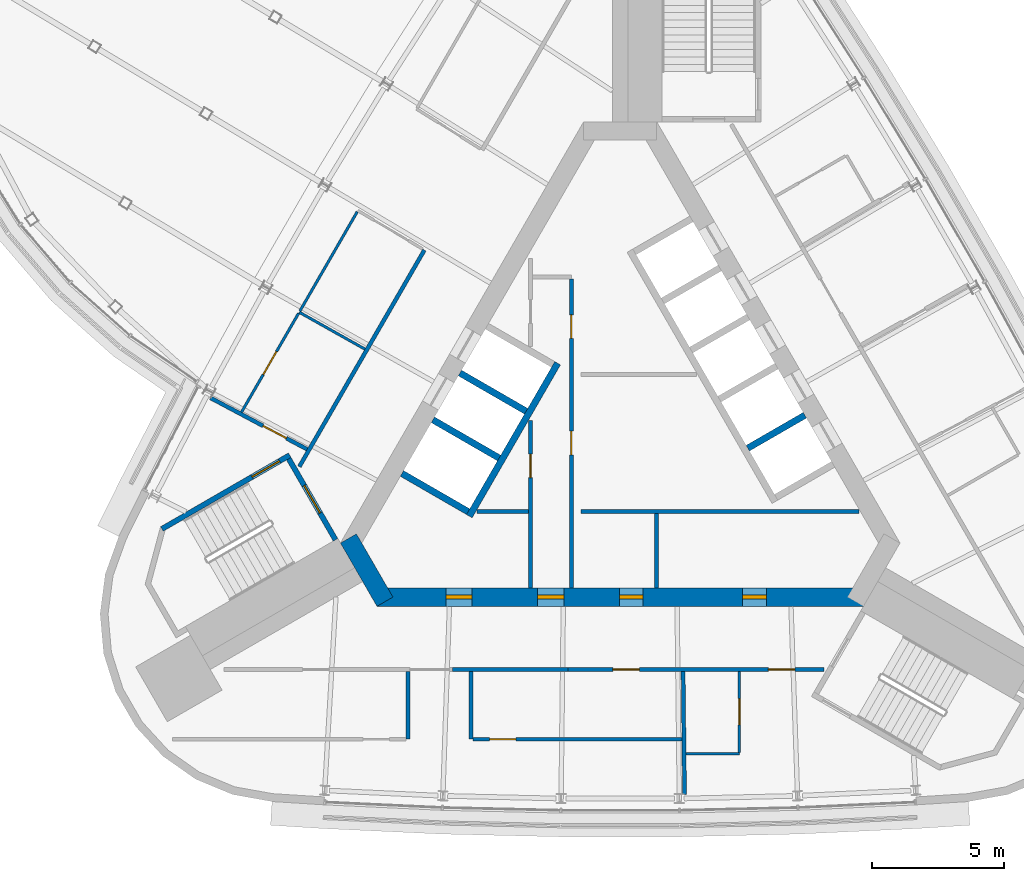
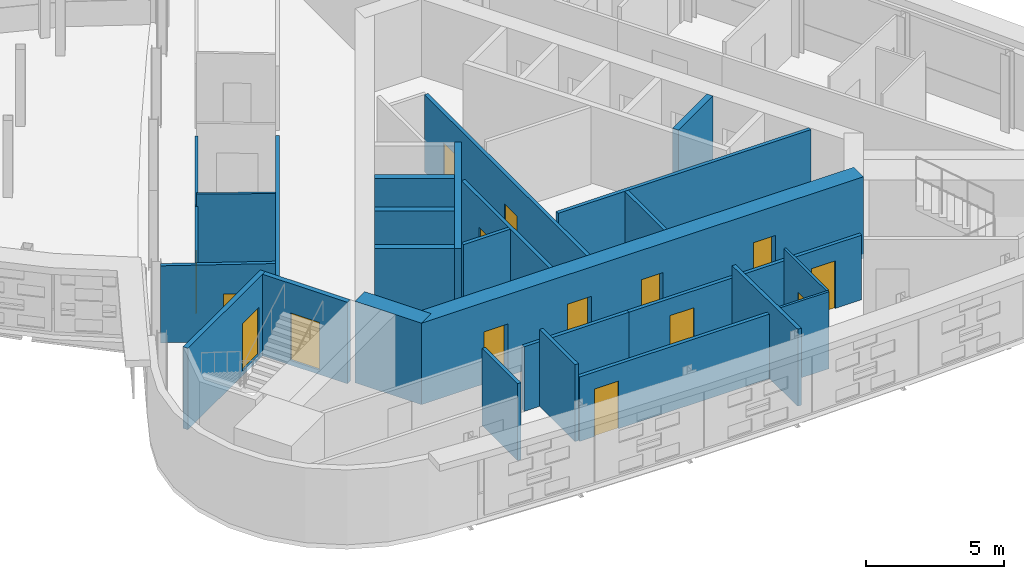
# One storey, part 9 of 13: 27 walls, 15 doors, 15 openings.
"""IFC4 building model written with IfcOpenShell, lengths in metres."""

from ifc_helpers import new_model, si_unit, direction, frame, frame_2d, origin, place, context, subcontext, project, spatial, rectangle, extrude, material, layer, layer_set, type_object, element, fill, save


model = new_model("IFC4")

# Units and contexts
model_context = context("Model", 3, precision=1e-05, world=origin(), true_north=direction((0.0, 1.0)))
body_context = subcontext(model_context, "Body", "Model", "MODEL_VIEW")
ifc_project = project(units=[si_unit("LENGTHUNIT", "METRE"), si_unit("AREAUNIT", "SQUARE_METRE"), si_unit("VOLUMEUNIT", "CUBIC_METRE"), si_unit("PLANEANGLEUNIT", "RADIAN"), si_unit("MASSUNIT", "GRAM", prefix="KILO")], contexts=[model_context])

# Site, building, storey
site_placement = place(None, origin())
site = spatial("IfcSite", under=ifc_project, at=site_placement, CompositionType="ELEMENT")
building_placement = place(site_placement, origin())
building = spatial("IfcBuilding", under=site, at=building_placement, Name="Noor Cloister Tower", CompositionType="ELEMENT")
storey_placement = place(building_placement, frame((0.0, 0.0, 267.0)))
storey = spatial("IfcBuildingStorey", under=building, at=storey_placement, Name="L68", CompositionType="ELEMENT", Elevation=267.0)

# Wall
ifc_material_1 = material(Name="Concrete C30/37", Category="concrete")
ifc_layer_1 = layer(ifc_material_1, 0.14990234375)
ifc_layer_set_1 = layer_set([ifc_layer_1], Name="Core partition 150 C30/37")
wall_type_1 = type_object("IfcWallType", Name="Core partition 150 C30/37", PredefinedType="PARTITIONING", material=ifc_layer_set_1)
wall_1_placement = place(storey_placement, frame((-5.430908203125, -3.328125, 0.0), z_axis=(0.0, 0.0, 1.0), x_axis=(1.0, 0.0, 0.0)))
element("IfcWall", 1, at=wall_1_placement, inside=storey, type_object=wall_type_1, Name="Core room partition L68 1", PredefinedType="PARTITIONING", context=body_context, shape_type="SweptSolid", body=[
    extrude(rectangle(XDim=1.9521484375, YDim=0.14990234375, at=frame_2d((0.97607421875, 0.0))), origin(), (0.0, 0.0, 1.0), 3.39990234375),
])

# Wall, opening, door
wall_2_placement = place(storey_placement, frame((-3.40380859375, 0.131103515625, 0.0), z_axis=(0.0, 0.0, 1.0), x_axis=(0.0, -1.0, 0.0)))
wall_2 = element("IfcWall", 2, at=wall_2_placement, inside=storey, type_object=wall_type_1, Name="Core room partition L68 2", PredefinedType="PARTITIONING", context=body_context, shape_type="SweptSolid", body=[
    extrude(rectangle(XDim=6.359375, YDim=0.14990234375, at=frame_2d((3.1796875, 0.0))), origin(), (0.0, 0.0, 1.0), 3.39990234375),
])
opening_1_placement = place(wall_2_placement, frame((1.280517578125, 0.0, 0.0)))
opening_1 = element("IfcOpeningElement", 3, at=opening_1_placement, cuts=wall_2, Name="Opening L68-905", PredefinedType="OPENING", context=body_context, shape_type="SweptSolid", body=[
    extrude(rectangle(XDim=0.89990234375, YDim=2.10009765625, at=frame_2d((0.449951171875, 1.050048828125))), frame((0.0, 0.0849609375, 0.0), z_axis=(0.0, -1.0, 0.0), x_axis=(1.0, 0.0, 0.0)), (0.0, 0.0, 1.0), 0.169921875),
])
ifc_material_2 = material(Name="Steel", Category="steel")
door_type_1 = type_object("IfcDoorType", Name="Core door 900 x 2100 FD120", OperationType="SINGLE_SWING_LEFT", PredefinedType="DOOR", material=ifc_material_2)
door_1_placement = place(opening_1_placement, origin())
door_1 = element("IfcDoor", 4, at=door_1_placement, inside=storey, type_object=door_type_1, Name="Core door 5 L68", OperationType="SINGLE_SWING_LEFT", OverallHeight=2.10009765625, OverallWidth=0.89990234375, PredefinedType="DOOR", context=body_context, shape_type="SweptSolid", body=[
    extrude(rectangle(XDim=0.89990234375, YDim=2.10009765625, at=frame_2d((0.449951171875, 1.050048828125))), frame((0.0, 0.02490234375, 0.0), z_axis=(0.0, -1.0, 0.0), x_axis=(1.0, 0.0, 0.0)), (0.0, 0.0, 1.0), 0.050048828125),
])
fill(opening_1, door_1)

# Wall, openings, doors
wall_3_placement = place(storey_placement, frame((-1.853759765625, 5.496826171875, 0.0), z_axis=(0.0, 0.0, 1.0), x_axis=(0.0, -1.0, 0.0)))
wall_3 = element("IfcWall", 5, at=wall_3_placement, inside=storey, type_object=wall_type_1, Name="Core room partition L68 5", PredefinedType="PARTITIONING", context=body_context, shape_type="SweptSolid", body=[
    extrude(rectangle(XDim=11.72509765625, YDim=0.14990234375, at=frame_2d((5.862548828125, 0.0))), origin(), (0.0, 0.0, 1.0), 3.39990234375),
])
opening_2_placement = place(wall_3_placement, frame((5.77490234375, 0.0, 0.0)))
opening_2 = element("IfcOpeningElement", 6, at=opening_2_placement, cuts=wall_3, Name="Opening L68-906", PredefinedType="OPENING", context=body_context, shape_type="SweptSolid", body=[
    extrude(rectangle(XDim=0.89990234375, YDim=2.10009765625, at=frame_2d((0.449951171875, 1.050048828125))), frame((0.0, 0.0849609375, 0.0), z_axis=(0.0, -1.0, 0.0), x_axis=(1.0, 0.0, 0.0)), (0.0, 0.0, 1.0), 0.169921875),
])
opening_3_placement = place(wall_3_placement, frame((1.363525390625, 0.0, 0.0)))
opening_3 = element("IfcOpeningElement", 7, at=opening_3_placement, cuts=wall_3, Name="Opening L68-908", PredefinedType="OPENING", context=body_context, shape_type="SweptSolid", body=[
    extrude(rectangle(XDim=0.89990234375, YDim=2.10009765625, at=frame_2d((0.449951171875, 1.050048828125))), frame((0.0, 0.0849609375, 0.0), z_axis=(0.0, -1.0, 0.0), x_axis=(1.0, 0.0, 0.0)), (0.0, 0.0, 1.0), 0.169921875),
])
door_2_placement = place(opening_3_placement, origin())
door_2 = element("IfcDoor", 8, at=door_2_placement, inside=storey, type_object=door_type_1, Name="Core door 8 L68", OperationType="SINGLE_SWING_RIGHT", OverallHeight=2.10009765625, OverallWidth=0.89990234375, PredefinedType="DOOR", context=body_context, shape_type="SweptSolid", body=[
    extrude(rectangle(XDim=0.89990234375, YDim=2.10009765625, at=frame_2d((0.449951171875, 1.050048828125))), frame((0.0, 0.02490234375, 0.0), z_axis=(0.0, -1.0, 0.0), x_axis=(1.0, 0.0, 0.0)), (0.0, 0.0, 1.0), 0.050048828125),
])
fill(opening_3, door_2)
ifc_material_3 = material(Name="Steel", Category="steel")
door_type_2 = type_object("IfcDoorType", Name="Core door 900 x 2100 FD60", OperationType="SINGLE_SWING_LEFT", PredefinedType="DOOR", material=ifc_material_3)
door_3_placement = place(opening_2_placement, origin())
door_3 = element("IfcDoor", 9, at=door_3_placement, inside=storey, type_object=door_type_2, Name="Core door 6 L68", OperationType="SINGLE_SWING_RIGHT", OverallHeight=2.10009765625, OverallWidth=0.89990234375, PredefinedType="DOOR", context=body_context, shape_type="SweptSolid", body=[
    extrude(rectangle(XDim=0.89990234375, YDim=2.10009765625, at=frame_2d((0.449951171875, 1.050048828125))), frame((0.0, 0.02490234375, 0.0), z_axis=(0.0, -1.0, 0.0), x_axis=(1.0, 0.0, 0.0)), (0.0, 0.0, 1.0), 0.050048828125),
])
fill(opening_2, door_3)

# Walls
wall_4_placement = place(storey_placement, frame((-1.478759765625, -3.328125, 0.0), z_axis=(0.0, 0.0, 1.0), x_axis=(1.0, 0.0, 0.0)))
element("IfcWall", 10, at=wall_4_placement, inside=storey, type_object=wall_type_1, Name="Core room partition L68 6", PredefinedType="PARTITIONING", context=body_context, shape_type="SweptSolid", body=[
    extrude(rectangle(XDim=10.546875, YDim=0.14990234375, at=frame_2d((5.2734375, 0.0))), origin(), (0.0, 0.0, 1.0), 3.39990234375),
])
wall_5_placement = place(storey_placement, frame((1.371337890625, -3.4033203125, 0.0), z_axis=(0.0, 0.0, 1.0), x_axis=(0.0, -1.0, 0.0)))
element("IfcWall", 11, at=wall_5_placement, inside=storey, type_object=wall_type_1, Name="Core room partition L68 8", PredefinedType="PARTITIONING", context=body_context, shape_type="SweptSolid", body=[
    extrude(rectangle(XDim=2.824951171875, YDim=0.14990234375, at=frame_2d((1.41259765625, 0.0))), origin(), (0.0, 0.0, 1.0), 3.39990234375),
])

# Wall, openings, doors
ifc_material_4 = material(Name="Concrete C60/75", Category="concrete")
ifc_layer_2 = layer(ifc_material_4, 0.699951171875)
ifc_layer_set_2 = layer_set([ifc_layer_2], Name="Core wall 700 C60/75")
wall_type_2 = type_object("IfcWallType", Name="Core wall 700 C60/75", PredefinedType="SHEAR", material=ifc_layer_set_2)
wall_6_placement = place(storey_placement, frame((-9.228759765625, -6.578125, -0.199951171875), z_axis=(0.0, 0.0, 1.0), x_axis=(1.0, 0.0, 0.0)))
wall_6 = element("IfcWall", 12, at=wall_6_placement, inside=storey, type_object=wall_type_2, Name="Core wall L68 1", PredefinedType="SHEAR", context=body_context, shape_type="SweptSolid", body=[
    extrude(rectangle(XDim=18.45751953125, YDim=0.699951171875, at=frame_2d((9.228759765625, 0.0))), origin(), (0.0, 0.0, 1.0), 3.599853515625),
])
opening_4_placement = place(wall_6_placement, frame((6.10009765625, 0.0, 0.199951171875)))
opening_4 = element("IfcOpeningElement", 13, at=opening_4_placement, cuts=wall_6, Name="Opening L68-901", PredefinedType="OPENING", context=body_context, shape_type="SweptSolid", body=[
    extrude(rectangle(XDim=1.0, YDim=2.10009765625, at=frame_2d((0.5, 1.050048828125))), frame((0.0, 0.35986328125, 0.0), z_axis=(0.0, -1.0, 0.0), x_axis=(1.0, 0.0, 0.0)), (0.0, 0.0, 1.0), 0.719970703125),
])
opening_5_placement = place(wall_6_placement, frame((2.614501953125, 0.0, 0.199951171875)))
opening_5 = element("IfcOpeningElement", 14, at=opening_5_placement, cuts=wall_6, Name="Opening L68-902", PredefinedType="OPENING", context=body_context, shape_type="SweptSolid", body=[
    extrude(rectangle(XDim=1.0, YDim=2.10009765625, at=frame_2d((0.5, 1.050048828125))), frame((0.0, 0.35986328125, 0.0), z_axis=(0.0, -1.0, 0.0), x_axis=(1.0, 0.0, 0.0)), (0.0, 0.0, 1.0), 0.719970703125),
])
opening_6_placement = place(wall_6_placement, frame((9.197509765625, 0.0, 0.199951171875)))
opening_6 = element("IfcOpeningElement", 15, at=opening_6_placement, cuts=wall_6, Name="Opening L68-903", PredefinedType="OPENING", context=body_context, shape_type="SweptSolid", body=[
    extrude(rectangle(XDim=0.89990234375, YDim=2.10009765625, at=frame_2d((0.449951171875, 1.050048828125))), frame((0.0, 0.35986328125, 0.0), z_axis=(0.0, -1.0, 0.0), x_axis=(1.0, 0.0, 0.0)), (0.0, 0.0, 1.0), 0.719970703125),
])
opening_7_placement = place(wall_6_placement, frame((13.876708984375, 0.0, 0.199951171875)))
opening_7 = element("IfcOpeningElement", 16, at=opening_7_placement, cuts=wall_6, Name="Opening L68-904", PredefinedType="OPENING", context=body_context, shape_type="SweptSolid", body=[
    extrude(rectangle(XDim=0.89990234375, YDim=2.10009765625, at=frame_2d((0.449951171875, 1.050048828125))), frame((0.0, 0.35986328125, 0.0), z_axis=(0.0, -1.0, 0.0), x_axis=(1.0, 0.0, 0.0)), (0.0, 0.0, 1.0), 0.719970703125),
])
ifc_material_5 = material(Name="Steel", Category="steel")
door_type_3 = type_object("IfcDoorType", Name="Core door 1000 x 2100 FD120", OperationType="SINGLE_SWING_LEFT", PredefinedType="DOOR", material=ifc_material_5)
door_4_placement = place(opening_4_placement, origin())
door_4 = element("IfcDoor", 17, at=door_4_placement, inside=storey, type_object=door_type_3, Name="Core door 1 L68", OperationType="SINGLE_SWING_LEFT", OverallHeight=2.10009765625, OverallWidth=1.0, PredefinedType="DOOR", context=body_context, shape_type="SweptSolid", body=[
    extrude(rectangle(XDim=1.0, YDim=2.10009765625, at=frame_2d((0.5, 1.050048828125))), frame((0.0, 0.074951171875, 0.0), z_axis=(0.0, -1.0, 0.0), x_axis=(1.0, 0.0, 0.0)), (0.0, 0.0, 1.0), 0.14990234375),
])
fill(opening_4, door_4)
ifc_material_6 = material(Name="Steel", Category="steel")
door_type_4 = type_object("IfcDoorType", Name="Core door 1000 x 2100 FD60", OperationType="SINGLE_SWING_LEFT", PredefinedType="DOOR", material=ifc_material_6)
door_5_placement = place(opening_5_placement, origin())
door_5 = element("IfcDoor", 18, at=door_5_placement, inside=storey, type_object=door_type_4, Name="Core door 2 L68", OperationType="SINGLE_SWING_RIGHT", OverallHeight=2.10009765625, OverallWidth=1.0, PredefinedType="DOOR", context=body_context, shape_type="SweptSolid", body=[
    extrude(rectangle(XDim=1.0, YDim=2.10009765625, at=frame_2d((0.5, 1.050048828125))), frame((0.0, 0.074951171875, 0.0), z_axis=(0.0, -1.0, 0.0), x_axis=(1.0, 0.0, 0.0)), (0.0, 0.0, 1.0), 0.14990234375),
])
fill(opening_5, door_5)
door_6_placement = place(opening_7_placement, origin())
door_6 = element("IfcDoor", 19, at=door_6_placement, inside=storey, type_object=door_type_1, Name="Core door 4 L68", OperationType="SINGLE_SWING_RIGHT", OverallHeight=2.10009765625, OverallWidth=0.89990234375, PredefinedType="DOOR", context=body_context, shape_type="SweptSolid", body=[
    extrude(rectangle(XDim=0.89990234375, YDim=2.10009765625, at=frame_2d((0.449951171875, 1.050048828125))), frame((0.0, 0.074951171875, 0.0), z_axis=(0.0, -1.0, 0.0), x_axis=(1.0, 0.0, 0.0)), (0.0, 0.0, 1.0), 0.14990234375),
])
fill(opening_7, door_6)
door_7_placement = place(opening_6_placement, origin())
door_7 = element("IfcDoor", 20, at=door_7_placement, inside=storey, type_object=door_type_2, Name="Core door 3 L68", OperationType="SINGLE_SWING_LEFT", OverallHeight=2.10009765625, OverallWidth=0.89990234375, PredefinedType="DOOR", context=body_context, shape_type="SweptSolid", body=[
    extrude(rectangle(XDim=0.89990234375, YDim=2.10009765625, at=frame_2d((0.449951171875, 1.050048828125))), frame((0.0, 0.074951171875, 0.0), z_axis=(0.0, -1.0, 0.0), x_axis=(1.0, 0.0, 0.0)), (0.0, 0.0, 1.0), 0.14990234375),
])
fill(opening_6, door_7)

# Walls
wall_7_placement = place(storey_placement, frame((-10.311279296875, -4.353271484375, -0.199951171875), z_axis=(0.0, 0.0, 1.0), x_axis=(0.500042739161, -0.866000726912, 0.0)))
element("IfcWall", 21, at=wall_7_placement, inside=storey, type_object=wall_type_2, Name="Core wall L68 6", PredefinedType="SHEAR", context=body_context, shape_type="SweptSolid", body=[
    extrude(rectangle(XDim=2.771240234375, YDim=0.699951171875, at=frame_2d((1.3857421875, 0.0))), origin(), (0.0, 0.0, 1.0), 3.599853515625),
])
ifc_material_7 = material(Name="Fire-rated gypsum board partition on steel studs, 150 mm", Category="steel")
ifc_layer_3 = layer(ifc_material_7, 0.14990234375)
ifc_layer_set_3 = layer_set([ifc_layer_3], Name="Fire lobby wall 150")
wall_type_3 = type_object("IfcWallType", Name="Fire lobby wall 150", PredefinedType="PARTITIONING", material=ifc_layer_set_3)
wall_8_placement = place(storey_placement, frame((-7.42919921875, 6.588623046875, 0.0), z_axis=(0.0, 0.0, 1.0), x_axis=(-0.499994197604, -0.866028753773, 0.0)))
element("IfcWall", 22, at=wall_8_placement, inside=storey, type_object=wall_type_3, Name="Wall L68-W22", PredefinedType="PARTITIONING", context=body_context, shape_type="SweptSolid", body=[
    extrude(rectangle(XDim=9.48779296875, YDim=0.14990234375, at=frame_2d((4.743896484375, 0.0))), origin(), (0.0, 0.0, 1.0), 2.85205078125),
])

# Wall, openings, doors
ifc_material_8 = material(Name="Gypsum board partition on steel studs, 150 mm", Category="steel")
ifc_layer_4 = layer(ifc_material_8, 0.14990234375)
ifc_layer_set_4 = layer_set([ifc_layer_4], Name="Flat wall 150")
wall_type_4 = type_object("IfcWallType", Name="Flat wall 150", PredefinedType="PARTITIONING", material=ifc_layer_set_4)
wall_9_placement = place(storey_placement, frame((-1.98681640625, -9.328125, 0.0), z_axis=(0.0, 0.0, 1.0), x_axis=(1.0, 0.0, 0.0)))
wall_9 = element("IfcWall", 23, at=wall_9_placement, inside=storey, type_object=wall_type_4, Name="Wall L68-W12", PredefinedType="PARTITIONING", context=body_context, shape_type="SweptSolid", body=[
    extrude(rectangle(XDim=9.71435546875, YDim=0.14990234375, at=frame_2d((4.857177734375, 0.0))), origin(), (0.0, 0.0, 1.0), 2.85205078125),
])
opening_8_placement = place(wall_9_placement, frame((1.7119140625, 0.0, 0.0)))
opening_8 = element("IfcOpeningElement", 24, at=opening_8_placement, cuts=wall_9, Name="Opening L68-011", PredefinedType="OPENING", context=body_context, shape_type="SweptSolid", body=[
    extrude(rectangle(XDim=1.0, YDim=2.10009765625, at=frame_2d((0.5, 1.050048828125))), frame((0.0, 0.0849609375, 0.0), z_axis=(0.0, -1.0, 0.0), x_axis=(1.0, 0.0, 0.0)), (0.0, 0.0, 1.0), 0.169921875),
])
opening_9_placement = place(wall_9_placement, frame((7.612548828125, 0.0, 0.0)))
opening_9 = element("IfcOpeningElement", 25, at=opening_9_placement, cuts=wall_9, Name="Opening L68-013", PredefinedType="OPENING", context=body_context, shape_type="SweptSolid", body=[
    extrude(rectangle(XDim=1.0, YDim=2.10009765625, at=frame_2d((0.5, 1.050048828125))), frame((0.0, 0.0849609375, 0.0), z_axis=(0.0, -1.0, 0.0), x_axis=(1.0, 0.0, 0.0)), (0.0, 0.0, 1.0), 0.169921875),
])
ifc_material_9 = material(Name="Timber door leaf with steel frame", Category="steel")
door_type_5 = type_object("IfcDoorType", Name="Flat entrance door 1000", OperationType="NOTDEFINED", PredefinedType="DOOR", material=ifc_material_9)
door_8_placement = place(opening_9_placement, origin())
door_8 = element("IfcDoor", 26, at=door_8_placement, inside=storey, type_object=door_type_5, Name="Door L68-013", OperationType="SINGLE_SWING_LEFT", OverallHeight=2.10009765625, OverallWidth=1.0, PredefinedType="DOOR", context=body_context, shape_type="SweptSolid", body=[
    extrude(rectangle(XDim=1.0, YDim=2.10009765625, at=frame_2d((0.5, 1.050048828125))), frame((0.0, 0.02490234375, 0.0), z_axis=(0.0, -1.0, 0.0), x_axis=(1.0, 0.0, 0.0)), (0.0, 0.0, 1.0), 0.050048828125),
])
fill(opening_9, door_8)
ifc_material_10 = material(Name="Timber door leaf with steel frame", Category="steel")
door_type_6 = type_object("IfcDoorType", Name="Interior door 1000 FD60", OperationType="NOTDEFINED", PredefinedType="DOOR", material=ifc_material_10)
door_9_placement = place(opening_8_placement, origin())
door_9 = element("IfcDoor", 27, at=door_9_placement, inside=storey, type_object=door_type_6, Name="Door L68-011", OperationType="SINGLE_SWING_LEFT", OverallHeight=2.10009765625, OverallWidth=1.0, PredefinedType="DOOR", context=body_context, shape_type="SweptSolid", body=[
    extrude(rectangle(XDim=1.0, YDim=2.10009765625, at=frame_2d((0.5, 1.050048828125))), frame((0.0, 0.02490234375, 0.0), z_axis=(0.0, -1.0, 0.0), x_axis=(1.0, 0.0, 0.0)), (0.0, 0.0, 1.0), 0.050048828125),
])
fill(opening_8, door_9)

# Walls
wall_10_placement = place(storey_placement, frame((-6.362548828125, -9.328125, 0.0), z_axis=(0.0, 0.0, 1.0), x_axis=(1.0, 0.0, 0.0)))
element("IfcWall", 28, at=wall_10_placement, inside=storey, type_object=wall_type_4, Name="Wall L68-W13", PredefinedType="PARTITIONING", context=body_context, shape_type="SweptSolid", body=[
    extrude(rectangle(XDim=4.375732421875, YDim=0.14990234375, at=frame_2d((2.18798828125, 0.0))), origin(), (0.0, 0.0, 1.0), 2.85205078125),
])
wall_11_placement = place(storey_placement, frame((2.44189453125, -14.06884765625, 0.0), z_axis=(0.0, 0.0, 1.0), x_axis=(-0.011616170678, 0.999932530013, 0.0)))
element("IfcWall", 29, at=wall_11_placement, inside=storey, type_object=wall_type_4, Name="Wall L68-W14", PredefinedType="PARTITIONING", context=body_context, shape_type="SweptSolid", body=[
    extrude(rectangle(XDim=4.665771484375, YDim=0.14990234375, at=frame_2d((2.3330078125, 0.0))), origin(), (0.0, 0.0, 1.0), 3.39990234375),
])
for number, where, z_axis, x_axis, name in (
    (30, (-8.054931640625, -9.4033203125, 0.0), (0.0, 0.0, 1.0), (0.0, -1.0, 0.0), "Wall L68-W15"),
    (31, (-5.65478515625, -9.4033203125, 0.0), (0.0, 0.0, 1.0), (0.0, -1.0, 0.0), "Wall L68-W16"),
):
    element("IfcWall", number, at=place(storey_placement, frame(where, z_axis=z_axis, x_axis=x_axis)), inside=storey, type_object=wall_type_4, Name=name, PredefinedType="PARTITIONING", context=body_context, shape_type="SweptSolid", body=[
        extrude(rectangle(XDim=2.56884765625, YDim=0.14990234375, at=frame_2d((1.284423828125, 0.0))), origin(), (0.0, 0.0, 1.0), 3.39990234375),
    ])

# Wall, opening, door
wall_12_placement = place(storey_placement, frame((-5.579833984375, -11.97216796875, 0.0), z_axis=(0.0, 0.0, 1.0), x_axis=(1.0, 0.0, 0.0)))
wall_12 = element("IfcWall", 32, at=wall_12_placement, inside=storey, type_object=wall_type_4, Name="Wall L68-W18", PredefinedType="PARTITIONING", context=body_context, shape_type="SweptSolid", body=[
    extrude(rectangle(XDim=7.92236328125, YDim=0.14990234375, at=frame_2d((3.961181640625, 0.0))), origin(), (0.0, 0.0, 1.0), 2.85205078125),
])
opening_10_placement = place(wall_12_placement, frame((0.625, 0.0, 0.0)))
opening_10 = element("IfcOpeningElement", 33, at=opening_10_placement, cuts=wall_12, Name="Opening L68-010", PredefinedType="OPENING", context=body_context, shape_type="SweptSolid", body=[
    extrude(rectangle(XDim=1.0, YDim=2.10009765625, at=frame_2d((0.5, 1.050048828125))), frame((0.0, 0.0849609375, 0.0), z_axis=(0.0, -1.0, 0.0), x_axis=(1.0, 0.0, 0.0)), (0.0, 0.0, 1.0), 0.169921875),
])
door_10_placement = place(opening_10_placement, origin())
door_10 = element("IfcDoor", 34, at=door_10_placement, inside=storey, type_object=door_type_6, Name="Door L68-010", OperationType="SINGLE_SWING_RIGHT", OverallHeight=2.10009765625, OverallWidth=1.0, PredefinedType="DOOR", context=body_context, shape_type="SweptSolid", body=[
    extrude(rectangle(XDim=1.0, YDim=2.10009765625, at=frame_2d((0.5, 1.050048828125))), frame((0.0, 0.02490234375, 0.0), z_axis=(0.0, -1.0, 0.0), x_axis=(1.0, 0.0, 0.0)), (0.0, 0.0, 1.0), 0.050048828125),
])
fill(opening_10, door_10)

wall_13_placement = place(storey_placement, frame((-15.552001953125, 0.983642578125, 0.0), z_axis=(0.0, 0.0, 1.0), x_axis=(0.882898276856, -0.469564300947, 0.0)))
wall_13 = element("IfcWall", 35, at=wall_13_placement, inside=storey, type_object=wall_type_4, Name="Wall L68-W23", PredefinedType="PARTITIONING", context=body_context, shape_type="SweptSolid", body=[
    extrude(rectangle(XDim=4.159423828125, YDim=0.14990234375, at=frame_2d((2.07958984375, 0.0))), origin(), (0.0, 0.0, 1.0), 3.39990234375),
])
opening_11_placement = place(wall_13_placement, frame((2.2666015625, 0.0, 0.0)))
opening_11 = element("IfcOpeningElement", 36, at=opening_11_placement, cuts=wall_13, Name="Opening L68-017", PredefinedType="OPENING", context=body_context, shape_type="SweptSolid", body=[
    extrude(rectangle(XDim=1.0, YDim=2.10009765625, at=frame_2d((0.5, 1.050048828125))), frame((0.0, 0.0849609375, 0.0), z_axis=(0.0, -1.0, 0.0), x_axis=(1.0, 0.0, 0.0)), (0.0, 0.0, 1.0), 0.169921875),
])
door_11_placement = place(opening_11_placement, origin())
door_11 = element("IfcDoor", 37, at=door_11_placement, inside=storey, type_object=door_type_6, Name="Door L68-017", OperationType="SINGLE_SWING_LEFT", OverallHeight=2.10009765625, OverallWidth=1.0, PredefinedType="DOOR", context=body_context, shape_type="SweptSolid", body=[
    extrude(rectangle(XDim=1.0, YDim=2.10009765625, at=frame_2d((0.5, 1.050048828125))), frame((0.0, 0.02490234375, 0.0), z_axis=(0.0, -1.0, 0.0), x_axis=(1.0, 0.0, 0.0)), (0.0, 0.0, 1.0), 0.050048828125),
])
fill(opening_11, door_11)

# Wall
ifc_material_11 = material(Name="Gypsum board partition on steel studs, 100 mm", Category="steel")
ifc_layer_5 = layer(ifc_material_11, 0.10009765625)
ifc_layer_set_5 = layer_set([ifc_layer_5], Name="Partition 100")
wall_type_5 = type_object("IfcWallType", Name="Partition 100", PredefinedType="PARTITIONING", material=ifc_layer_set_5)
wall_14_placement = place(storey_placement, frame((2.4990234375, -12.5283203125, 0.0), z_axis=(0.0, 0.0, 1.0), x_axis=(1.0, 0.0, 0.0)))
element("IfcWall", 38, at=wall_14_placement, inside=storey, type_object=wall_type_5, Name="Wall L68-W19", PredefinedType="PARTITIONING", context=body_context, shape_type="SweptSolid", body=[
    extrude(rectangle(XDim=2.02490234375, YDim=0.10009765625, at=frame_2d((1.012451171875, 0.0))), origin(), (0.0, 0.0, 1.0), 3.39990234375),
])

# Wall, opening, door
wall_15_placement = place(storey_placement, frame((4.52392578125, -12.478271484375, 0.0), z_axis=(0.0, 0.0, 1.0), x_axis=(0.0, 1.0, 0.0)))
wall_15 = element("IfcWall", 39, at=wall_15_placement, inside=storey, type_object=wall_type_5, Name="Wall L68-W20", PredefinedType="PARTITIONING", context=body_context, shape_type="SweptSolid", body=[
    extrude(rectangle(XDim=3.074951171875, YDim=0.10009765625, at=frame_2d((1.53759765625, 0.0))), origin(), (0.0, 0.0, 1.0), 3.39990234375),
])
opening_12_placement = place(wall_15_placement, frame((1.050048828125, 0.0, 0.0)))
opening_12 = element("IfcOpeningElement", 40, at=opening_12_placement, cuts=wall_15, Name="Opening L68-012", PredefinedType="OPENING", context=body_context, shape_type="SweptSolid", body=[
    extrude(rectangle(XDim=1.0, YDim=2.10009765625, at=frame_2d((0.5, 1.050048828125))), frame((0.0, 0.06005859375, 0.0), z_axis=(0.0, -1.0, 0.0), x_axis=(1.0, 0.0, 0.0)), (0.0, 0.0, 1.0), 0.1201171875),
])
ifc_material_12 = material(Name="Timber door leaf with steel frame", Category="steel")
door_type_7 = type_object("IfcDoorType", Name="Interior door 1000", OperationType="NOTDEFINED", PredefinedType="DOOR", material=ifc_material_12)
door_12_placement = place(opening_12_placement, origin())
door_12 = element("IfcDoor", 41, at=door_12_placement, inside=storey, type_object=door_type_7, Name="Door L68-012", OperationType="SINGLE_SWING_RIGHT", OverallHeight=2.10009765625, OverallWidth=1.0, PredefinedType="DOOR", context=body_context, shape_type="SweptSolid", body=[
    extrude(rectangle(XDim=1.0, YDim=2.10009765625, at=frame_2d((0.5, 1.050048828125))), frame((0.0, 0.02490234375, 0.0), z_axis=(0.0, -1.0, 0.0), x_axis=(1.0, 0.0, 0.0)), (0.0, 0.0, 1.0), 0.050048828125),
])
fill(opening_12, door_12)

# Walls
wall_16_placement = place(storey_placement, frame((-9.68603515625, 2.829833984375, 0.0), z_axis=(0.0, 0.0, 1.0), x_axis=(-0.871778429479, 0.489900367315, 0.0)))
element("IfcWall", 42, at=wall_16_placement, inside=storey, type_object=wall_type_5, Name="Wall L68-W26", PredefinedType="PARTITIONING", context=body_context, shape_type="SweptSolid", body=[
    extrude(rectangle(XDim=2.859130859375, YDim=0.10009765625, at=frame_2d((1.4296875, 0.0))), origin(), (0.0, 0.0, 1.0), 3.39990234375),
])
wall_17_placement = place(storey_placement, frame((-9.97802734375, 8.0419921875, 0.0), z_axis=(0.0, 0.0, 1.0), x_axis=(-0.500007404367, -0.866021128829, 0.0)))
element("IfcWall", 43, at=wall_17_placement, inside=storey, type_object=wall_type_5, Name="Wall L68-W28", PredefinedType="PARTITIONING", context=body_context, shape_type="SweptSolid", body=[
    extrude(rectangle(XDim=4.35107421875, YDim=0.10009765625, at=frame_2d((2.175537109375, 0.0))), origin(), (0.0, 0.0, 1.0), 2.85205078125),
])

# Wall, opening, door
wall_18_placement = place(storey_placement, frame((-12.20361328125, 4.187255859375, 0.0), z_axis=(0.0, 0.0, 1.0), x_axis=(-0.499973093216, -0.866040937866, 0.0)))
wall_18 = element("IfcWall", 44, at=wall_18_placement, inside=storey, type_object=wall_type_5, Name="Wall L68-W29", PredefinedType="PARTITIONING", context=body_context, shape_type="SweptSolid", body=[
    extrude(rectangle(XDim=4.328369140625, YDim=0.10009765625, at=frame_2d((2.1640625, 0.0))), origin(), (0.0, 0.0, 1.0), 2.85205078125),
])
opening_13_placement = place(wall_18_placement, frame((1.6767578125, 0.0, 0.0)))
opening_13 = element("IfcOpeningElement", 45, at=opening_13_placement, cuts=wall_18, Name="Opening L68-016", PredefinedType="OPENING", context=body_context, shape_type="SweptSolid", body=[
    extrude(rectangle(XDim=1.0, YDim=2.10009765625, at=frame_2d((0.5, 1.050048828125))), frame((0.0, 0.06005859375, 0.0), z_axis=(0.0, -1.0, 0.0), x_axis=(1.0, 0.0, 0.0)), (0.0, 0.0, 1.0), 0.1201171875),
])
door_13_placement = place(opening_13_placement, origin())
door_13 = element("IfcDoor", 46, at=door_13_placement, inside=storey, type_object=door_type_7, Name="Door L68-016", OperationType="SINGLE_SWING_RIGHT", OverallHeight=2.10009765625, OverallWidth=1.0, PredefinedType="DOOR", context=body_context, shape_type="SweptSolid", body=[
    extrude(rectangle(XDim=1.0, YDim=2.10009765625, at=frame_2d((0.5, 1.050048828125))), frame((0.0, 0.02490234375, 0.0), z_axis=(0.0, -1.0, 0.0), x_axis=(1.0, 0.0, 0.0)), (0.0, 0.0, 1.0), 0.050048828125),
])
fill(opening_13, door_13)

# Walls
ifc_material_13 = material(Name="Concrete C60/75", Category="concrete")
ifc_layer_6 = layer(ifc_material_13, 0.25)
ifc_layer_set_6 = layer_set([ifc_layer_6], Name="Shaft wall 250 C60/75")
wall_type_6 = type_object("IfcWallType", Name="Shaft wall 250 C60/75", PredefinedType="PARTITIONING", material=ifc_layer_set_6)
wall_19_placement = place(storey_placement, frame((7.00634765625, 0.3212890625, -0.199951171875), z_axis=(0.0, 0.0, 1.0), x_axis=(-0.866022959057, -0.500004234368, 0.0)))
element("IfcWall", 47, at=wall_19_placement, inside=storey, type_object=wall_type_6, Name="Lift shaft wall L68 NE 2", PredefinedType="PARTITIONING", context=body_context, shape_type="SweptSolid", body=[
    extrude(rectangle(XDim=2.5, YDim=0.25, at=frame_2d((1.25, 0.0))), origin(), (0.0, 0.0, 1.0), 3.599853515625),
])
for number, where, z_axis, x_axis, name in (
    (48, (-6.081298828125, 1.92333984375, -0.199951171875), (0.0, 0.0, 1.0), (0.866032775405, -0.499987231761, 0.0), "Lift shaft wall L68 NW 4"),
    (49, (-7.106201171875, 0.14794921875, -0.199951171875), (0.0, 0.0, 1.0), (0.866032775405, -0.499987231761, 0.0), "Lift shaft wall L68 NW 5"),
    (50, (-8.28125, -1.88720703125, -0.199951171875), (0.0, 0.0, 1.0), (0.866032775405, -0.499987231761, 0.0), "Lift shaft wall L68 NW 6"),
):
    element("IfcWall", number, at=place(storey_placement, frame(where, z_axis=z_axis, x_axis=x_axis)), inside=storey, type_object=wall_type_6, Name=name, PredefinedType="PARTITIONING", context=body_context, shape_type="SweptSolid", body=[
        extrude(rectangle(XDim=2.89990234375, YDim=0.25, at=frame_2d((1.449951171875, 0.0))), origin(), (0.0, 0.0, 1.0), 3.599853515625),
    ])
wall_20_placement = place(storey_placement, frame((-2.3740234375, 2.29443359375, 0.0), z_axis=(0.0, 0.0, 1.0), x_axis=(-0.500003174267, -0.866023571113, 0.0)))
element("IfcWall", 51, at=wall_20_placement, inside=storey, type_object=wall_type_6, Name="Lift shaft back wall L68 NW", PredefinedType="PARTITIONING", context=body_context, shape_type="SweptSolid", body=[
    extrude(rectangle(XDim=6.7001953125, YDim=0.25, at=frame_2d((3.35009765625, 0.0))), origin(), (0.0, 0.0, 1.0), 3.39990234375),
])

# Wall, opening, door
ifc_material_14 = material(Name="Concrete C60/75", Category="concrete")
ifc_layer_7 = layer(ifc_material_14, 0.199951171875)
ifc_layer_set_7 = layer_set([ifc_layer_7], Name="Stair enclosure wall 200 C60/75")
wall_type_7 = type_object("IfcWallType", Name="Stair enclosure wall 200 C60/75", PredefinedType="SHEAR", material=ifc_layer_set_7)
wall_21_placement = place(storey_placement, frame((-12.575927734375, -1.33056640625, -0.199951171875), z_axis=(0.0, 0.0, 1.0), x_axis=(0.499970499736, -0.8660424351, 0.0)))
wall_21 = element("IfcWall", 52, at=wall_21_placement, inside=storey, type_object=wall_type_7, Name="Stair enclosure wall ST2 L68 near end", PredefinedType="SHEAR", context=body_context, shape_type="SweptSolid", body=[
    extrude(rectangle(XDim=3.550048828125, YDim=0.199951171875, at=frame_2d((1.77490234375, 0.0))), origin(), (0.0, 0.0, 1.0), 3.599853515625),
])
opening_14_placement = place(wall_21_placement, frame((1.175048828125, 0.0, 0.199951171875)))
opening_14 = element("IfcOpeningElement", 53, at=opening_14_placement, cuts=wall_21, Name="Opening L68-ST2L", PredefinedType="OPENING", context=body_context, shape_type="SweptSolid", body=[
    extrude(rectangle(XDim=1.199951171875, YDim=2.10009765625, at=frame_2d((0.60009765625, 1.050048828125))), frame((0.0, 0.10986328125, 0.0), z_axis=(0.0, -1.0, 0.0), x_axis=(1.0, 0.0, 0.0)), (0.0, 0.0, 1.0), 0.219970703125),
])
ifc_material_15 = material(Name="Steel", Category="steel")
door_type_8 = type_object("IfcDoorType", Name="Stair door 1200 x 2100 FD120", OperationType="SINGLE_SWING_LEFT", PredefinedType="DOOR", material=ifc_material_15)
door_14_placement = place(opening_14_placement, origin())
door_14 = element("IfcDoor", 54, at=door_14_placement, inside=storey, type_object=door_type_8, Name="Stair door ST2 L68", OperationType="SINGLE_SWING_RIGHT", OverallHeight=2.10009765625, OverallWidth=1.199951171875, PredefinedType="DOOR", context=body_context, shape_type="SweptSolid", body=[
    extrude(rectangle(XDim=1.199951171875, YDim=2.10009765625, at=frame_2d((0.60009765625, 1.050048828125))), frame((0.0, 0.02490234375, 0.0), z_axis=(0.0, -1.0, 0.0), x_axis=(1.0, 0.0, 0.0)), (0.0, 0.0, 1.0), 0.050048828125),
])
fill(opening_14, door_14)

wall_22_placement = place(storey_placement, frame((-12.539306640625, -1.194091796875, -0.199951171875), z_axis=(0.0, 0.0, 1.0), x_axis=(-0.866045472092, -0.499965239061, 0.0)))
wall_22 = element("IfcWall", 55, at=wall_22_placement, inside=storey, type_object=wall_type_7, Name="Stair enclosure wall ST2 L68 outer side", PredefinedType="SHEAR", context=body_context, shape_type="SweptSolid", body=[
    extrude(rectangle(XDim=5.60009765625, YDim=0.199951171875, at=frame_2d((2.800048828125, 0.0))), origin(), (0.0, 0.0, 1.0), 3.599853515625),
])
opening_15_placement = place(wall_22_placement, frame((0.449951171875, 0.0, 0.199951171875)))
opening_15 = element("IfcOpeningElement", 56, at=opening_15_placement, cuts=wall_22, Name="Opening L68-ST2C", PredefinedType="OPENING", context=body_context, shape_type="SweptSolid", body=[
    extrude(rectangle(XDim=1.199951171875, YDim=2.10009765625, at=frame_2d((0.60009765625, 1.050048828125))), frame((0.0, 0.10986328125, 0.0), z_axis=(0.0, -1.0, 0.0), x_axis=(1.0, 0.0, 0.0)), (0.0, 0.0, 1.0), 0.219970703125),
])
door_15_placement = place(opening_15_placement, origin())
door_15 = element("IfcDoor", 57, at=door_15_placement, inside=storey, type_object=door_type_8, Name="Stair door ST2 L68", OperationType="SINGLE_SWING_LEFT", OverallHeight=2.10009765625, OverallWidth=1.199951171875, PredefinedType="DOOR", context=body_context, shape_type="SweptSolid", body=[
    extrude(rectangle(XDim=1.199951171875, YDim=2.10009765625, at=frame_2d((0.60009765625, 1.050048828125))), frame((0.0, 0.02490234375, 0.0), z_axis=(0.0, -1.0, 0.0), x_axis=(1.0, 0.0, 0.0)), (0.0, 0.0, 1.0), 0.050048828125),
])
fill(opening_15, door_15)

save(model, "model.ifc")
